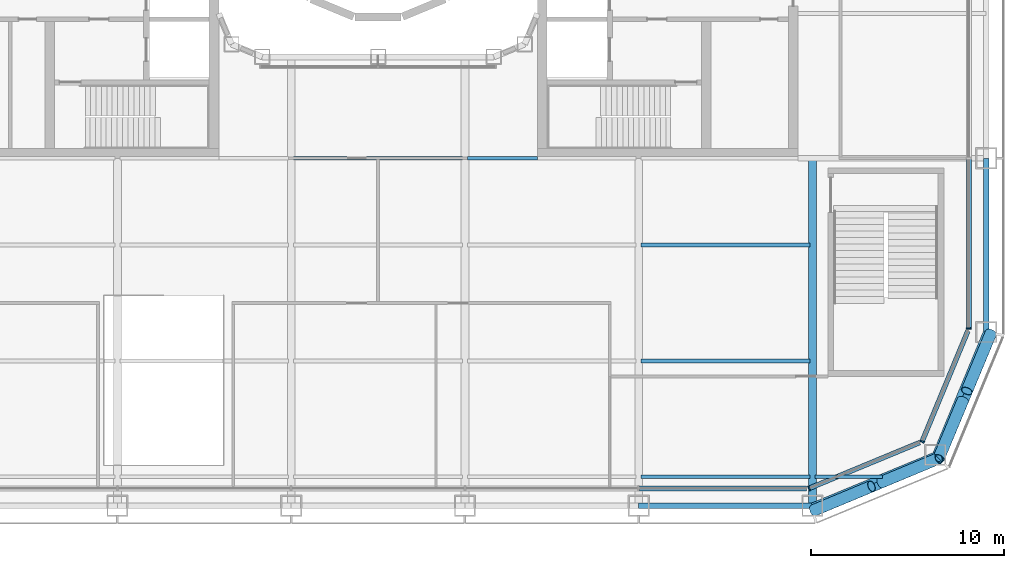
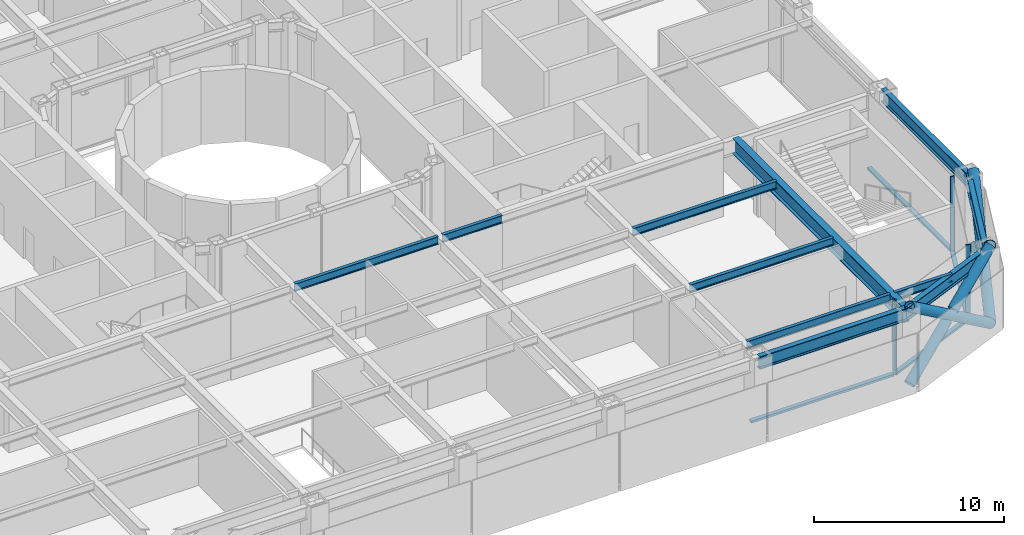
# One storey, part 4 of 24: 13 members, 11 beams, 4 elements without a shape of their own.
"""IFC4 building model written with IfcOpenShell, lengths in metres."""

from ifc_helpers import new_model, si_unit, direction, frame, origin, origin_2d, place, context, subcontext, project, spatial, rectangle, hollow_circle, i_section, extrude, material, layer, layer_set, material_profile, profile_set, type_object, element, aggregate, save


model = new_model("IFC4")

# Units and contexts
model_context = context("Model", 3, precision=1e-05, world=origin(), true_north=direction((0.0, 1.0)))
body_context = subcontext(model_context, "Body", "Model", "MODEL_VIEW")
ifc_project = project(units=[si_unit("LENGTHUNIT", "METRE"), si_unit("AREAUNIT", "SQUARE_METRE"), si_unit("VOLUMEUNIT", "CUBIC_METRE"), si_unit("PLANEANGLEUNIT", "RADIAN"), si_unit("MASSUNIT", "GRAM", prefix="KILO")], contexts=[model_context])

# Site, building, storey
site_placement = place(None, origin())
site = spatial("IfcSite", under=ifc_project, at=site_placement, CompositionType="ELEMENT")
building_placement = place(site_placement, origin())
building = spatial("IfcBuilding", under=site, at=building_placement, Name="Siwar Civic Tower", CompositionType="ELEMENT")
storey_placement = place(building_placement, frame((0.0, 0.0, 12.199951171875)))
storey = spatial("IfcBuildingStorey", under=building, at=storey_placement, Name="L02", CompositionType="ELEMENT", Elevation=12.199951171875)

# Curtain wall, member
ifc_material_1 = material(Name="Aluminium clad insulated panel", Category="aluminium")
ifc_layer_1 = layer(ifc_material_1, 0.25)
ifc_layer_set_1 = layer_set([ifc_layer_1], Name="Aluminium clad insulated panel")
curtain_wall_type_1 = type_object("IfcCurtainWallType", Name="ENV-CW-HX", PredefinedType="NOTDEFINED", material=ifc_layer_set_1)
curtain_wall_1_placement = place(storey_placement, origin())
curtain_wall_1 = element("IfcCurtainWall", 1, at=curtain_wall_1_placement, inside=storey, type_object=curtain_wall_type_1, Name="Curtain wall H SE1", PredefinedType="NOTDEFINED")
ifc_material_2 = material(Name="Aluminium 6063-T6", Category="aluminium")
ifc_material_profile_1 = material_profile(ifc_material_2, rectangle(XDim=0.25, YDim=0.080078125, at=origin_2d()), Name="AL 250x80")
ifc_profile_set_1 = profile_set([ifc_material_profile_1], Name="Aluminium 6063-T6")
member_type_1 = type_object("IfcMemberType", Name="ENV-MULLION-H", PredefinedType="MULLION", material=ifc_profile_set_1)
member_1_placement = place(storey_placement, frame((22.321044921875, -30.60009765625, 0.0), z_axis=(0.0, 0.0, 1.0), x_axis=(-0.382683432365, 0.923879532511, 0.0)))
member_1 = element("IfcMember", 2, at=member_1_placement, type_object=member_type_1, Name="Mullion H SE1 1", PredefinedType="MULLION", context=body_context, shape_type="SweptSolid", body=[
    extrude(rectangle(XDim=0.25, YDim=0.080078125, at=origin_2d()), origin(), (0.0, 0.0, 1.0), 4.85009765625),
])

curtain_wall_2_placement = place(storey_placement, origin())
curtain_wall_2 = element("IfcCurtainWall", 3, at=curtain_wall_2_placement, inside=storey, type_object=curtain_wall_type_1, Name="Curtain wall H SE2", PredefinedType="NOTDEFINED")
member_2_placement = place(storey_placement, frame((28.175048828125, -28.175048828125, 0.0), z_axis=(0.0, 0.0, 1.0), x_axis=(-0.923879532511, 0.382683432365, 0.0)))
member_2 = element("IfcMember", 4, at=member_2_placement, type_object=member_type_1, Name="Mullion H SE2 1", PredefinedType="MULLION", context=body_context, shape_type="SweptSolid", body=[
    extrude(rectangle(XDim=0.25, YDim=0.080078125, at=origin_2d()), origin(), (0.0, 0.0, 1.0), 4.85009765625),
])

ifc_material_3 = material(Name="Aluminium and glass", Category="aluminium")
ifc_layer_2 = layer(ifc_material_3, 0.25)
ifc_layer_set_2 = layer_set([ifc_layer_2], Name="Aluminium and glass")
curtain_wall_type_2 = type_object("IfcCurtainWallType", Name="ENV-CW-H", PredefinedType="NOTDEFINED", material=ifc_layer_set_2)
curtain_wall_3_placement = place(storey_placement, origin())
curtain_wall_3 = element("IfcCurtainWall", 5, at=curtain_wall_3_placement, inside=storey, type_object=curtain_wall_type_2, Name="Curtain wall H E", PredefinedType="NOTDEFINED")
member_3_placement = place(storey_placement, frame((30.60009765625, -22.321044921875, 0.0), z_axis=(0.0, 0.0, 1.0), x_axis=(-1.0, 0.0, 0.0)))
member_3 = element("IfcMember", 6, at=member_3_placement, type_object=member_type_1, Name="Mullion H E 1", PredefinedType="MULLION", context=body_context, shape_type="SweptSolid", body=[
    extrude(rectangle(XDim=0.25, YDim=0.080078125, at=origin_2d()), origin(), (0.0, 0.0, 1.0), 4.85009765625),
])

curtain_wall_4_placement = place(storey_placement, origin())
curtain_wall_4 = element("IfcCurtainWall", 7, at=curtain_wall_4_placement, inside=storey, type_object=curtain_wall_type_2, Name="Curtain wall H S", PredefinedType="NOTDEFINED")
ifc_material_4 = material(Name="Aluminium 6063-T6", Category="aluminium")
ifc_material_profile_2 = material_profile(ifc_material_4, rectangle(XDim=0.25, YDim=0.139892578125, at=origin_2d()), Name="AL 250x140")
ifc_profile_set_2 = profile_set([ifc_material_profile_2], Name="Aluminium 6063-T6")
member_type_2 = type_object("IfcMemberType", Name="ENV-TRANSOM-H", PredefinedType="USERDEFINED", material=ifc_profile_set_2)
member_4_placement = place(storey_placement, frame((13.5400390625, -30.60009765625, 0.070068359375), z_axis=(1.0, 0.0, 0.0), x_axis=(0.0, 1.0, 0.0)))
member_4 = element("IfcMember", 8, at=member_4_placement, type_object=member_type_2, Name="Transom H S 5", ObjectType="TRANSOM", PredefinedType="USERDEFINED", context=body_context, shape_type="SweptSolid", body=[
    extrude(rectangle(XDim=0.25, YDim=0.139892578125, at=origin_2d()), origin(), (0.0, 0.0, 1.0), 8.644287109375),
])
aggregate(curtain_wall_4, [member_4])

# Member
member_5_placement = place(storey_placement, frame((22.35791015625, -30.584716796875, 0.070068359375), z_axis=(0.92388399052, 0.382672669604, 0.0), x_axis=(-0.382672669604, 0.92388399052, 0.0)))
member_5 = element("IfcMember", 9, at=member_5_placement, type_object=member_type_2, Name="Transom H SE1 1", ObjectType="TRANSOM", PredefinedType="USERDEFINED", context=body_context, shape_type="SweptSolid", body=[
    extrude(rectangle(XDim=0.25, YDim=0.139892578125, at=origin_2d()), origin(), (0.0, 0.0, 1.0), 6.15966796875),
])

aggregate(curtain_wall_1, [member_1, member_5])

member_6_placement = place(storey_placement, frame((28.1904296875, -28.13818359375, 0.070068359375), z_axis=(0.382672669604, 0.92388399052, 0.0), x_axis=(-0.92388399052, 0.382672669604, 0.0)))
member_6 = element("IfcMember", 10, at=member_6_placement, type_object=member_type_2, Name="Transom H SE2 1", ObjectType="TRANSOM", PredefinedType="USERDEFINED", context=body_context, shape_type="SweptSolid", body=[
    extrude(rectangle(XDim=0.25, YDim=0.139892578125, at=origin_2d()), origin(), (0.0, 0.0, 1.0), 6.15966796875),
])

aggregate(curtain_wall_2, [member_2, member_6])

member_7_placement = place(storey_placement, frame((30.60009765625, -22.281005859375, 0.070068359375), z_axis=(0.0, 1.0, 0.0), x_axis=(-1.0, 0.0, 0.0)))
member_7 = element("IfcMember", 11, at=member_7_placement, type_object=member_type_2, Name="Transom H E 1", ObjectType="TRANSOM", PredefinedType="USERDEFINED", context=body_context, shape_type="SweptSolid", body=[
    extrude(rectangle(XDim=0.25, YDim=0.139892578125, at=origin_2d()), origin(), (0.0, 0.0, 1.0), 8.740966796875),
])

aggregate(curtain_wall_3, [member_3, member_7])

# Members
ifc_material_5 = material(Name="Steel S355", Category="steel")
ifc_material_profile_3 = material_profile(ifc_material_5, hollow_circle(Radius=0.304931640625, WallThickness=0.030029296875, at=origin_2d()), Name="CHS610x30")
ifc_profile_set_3 = profile_set([ifc_material_profile_3], Name="Steel S355")
member_type_3 = type_object("IfcMemberType", Name="STR-BR-CHS610x30", PredefinedType="BRACE", material=ifc_profile_set_3)
member_8_placement = place(storey_placement, frame((29.040771484375, -29.040771484375, 0.0), z_axis=(0.313403721941, 0.752344350468, 0.579444635312), x_axis=(-0.923108759191, 0.384538969033, 0.0)))
element("IfcMember", 12, at=member_8_placement, inside=storey, type_object=member_type_3, Name="L02/brc/ASE1-1-0-1", PredefinedType="BRACE", context=body_context, shape_type="SweptSolid", body=[
    extrude(hollow_circle(Radius=0.304931640625, WallThickness=0.030029296875, at=origin_2d()), origin(), (0.0, 0.0, 1.0), 8.62890625),
])
for number, where, z_axis, x_axis, name in (
    (13, (31.7451171875, -22.548828125, 0.0), (-0.313373422739, -0.752340560323, 0.5794659431), (0.923121267833, -0.384508939914, 0.0), "L02/brc/ASE1-1-0-2"),
    (14, (30.293212890625, -26.033935546875, 2.684326171875), (-0.313384515382, -0.752367191316, 0.57942536616), (0.923121267833, -0.384508939914, 0.0), "L02/brc/ASE1-1-0-3"),
):
    element("IfcMember", number, at=place(storey_placement, frame(where, z_axis=z_axis, x_axis=x_axis)), inside=storey, type_object=member_type_3, Name=name, PredefinedType="BRACE", context=body_context, shape_type="SweptSolid", body=[
        extrude(hollow_circle(Radius=0.304931640625, WallThickness=0.030029296875, at=origin_2d()), origin(), (0.0, 0.0, 1.0), 3.99658203125),
    ])
member_9_placement = place(storey_placement, frame((29.040771484375, -29.040771484375, 0.0), z_axis=(-0.752344350468, -0.313403721941, 0.579444635312), x_axis=(0.384538969033, -0.923108759191, 0.0)))
element("IfcMember", 15, at=member_9_placement, inside=storey, type_object=member_type_3, Name="L02/brc/ASE1-1-0-0", PredefinedType="BRACE", context=body_context, shape_type="SweptSolid", body=[
    extrude(hollow_circle(Radius=0.304931640625, WallThickness=0.030029296875, at=origin_2d()), origin(), (0.0, 0.0, 1.0), 8.62890625),
])
for number, where, z_axis, x_axis, name in (
    (16, (22.548828125, -31.7451171875, 0.0), (0.752340560323, 0.313373422739, 0.5794659431), (-0.384508939914, 0.923121267833, 0.0), "L02/brc/ASE1-1-0-4"),
    (17, (26.033935546875, -30.293212890625, 2.684326171875), (0.752367191316, 0.313384515382, 0.57942536616), (-0.384508939914, 0.923121267833, 0.0), "L02/brc/ASE1-1-0-5"),
):
    element("IfcMember", number, at=place(storey_placement, frame(where, z_axis=z_axis, x_axis=x_axis)), inside=storey, type_object=member_type_3, Name=name, PredefinedType="BRACE", context=body_context, shape_type="SweptSolid", body=[
        extrude(hollow_circle(Radius=0.304931640625, WallThickness=0.030029296875, at=origin_2d()), origin(), (0.0, 0.0, 1.0), 3.99658203125),
    ])

# Beams
ifc_material_6 = material(Name="Steel S355", Category="steel")
ifc_material_profile_4 = material_profile(ifc_material_6, i_section(OverallWidth=0.199951171875, OverallDepth=0.5, WebThickness=0.01025390625, FlangeThickness=0.01611328125, FilletRadius=0.02099609375, at=origin_2d()), Name="IPE500")
ifc_profile_set_4 = profile_set([ifc_material_profile_4], Name="Steel S355")
beam_type_1 = type_object("IfcBeamType", Name="STR-FB-IPE500", PredefinedType="JOIST", material=ifc_profile_set_4)
beam_1_placement = place(storey_placement, frame((13.6298828125, -30.0, 4.60009765625), z_axis=(1.0, 0.0, 0.0), x_axis=(0.0, 1.0, 0.0)))
element("IfcBeam", 18, at=beam_1_placement, inside=storey, type_object=beam_type_1, Name="L02/bm/F006", PredefinedType="JOIST", context=body_context, shape_type="SweptSolid", body=[
    extrude(i_section(OverallWidth=0.199951171875, OverallDepth=0.5, WebThickness=0.01025390625, FlangeThickness=0.01611328125, FilletRadius=0.02099609375, at=origin_2d()), origin(), (0.0, 0.0, 1.0), 8.740234375),
])
beam_2_placement = place(storey_placement, frame((22.6298828125, -30.0, 4.60009765625), z_axis=(1.0, 0.0, 0.0), x_axis=(0.0, 1.0, 0.0)))
element("IfcBeam", 19, at=beam_2_placement, inside=storey, type_object=beam_type_1, Name="L02/bm/F007", PredefinedType="JOIST", context=body_context, shape_type="SweptSolid", body=[
    extrude(i_section(OverallWidth=0.199951171875, OverallDepth=0.5, WebThickness=0.01025390625, FlangeThickness=0.01611328125, FilletRadius=0.02099609375, at=origin_2d()), origin(), (0.0, 0.0, 1.0), 3.491455078125),
])
for number, where, z_axis, x_axis, name in (
    (20, (13.6298828125, -24.0, 4.60009765625), (1.0, 0.0, 0.0), (0.0, 1.0, 0.0), "L02/bm/F013"),
    (21, (13.6298828125, -18.0, 4.60009765625), (1.0, 0.0, 0.0), (0.0, 1.0, 0.0), "L02/bm/F019"),
    (22, (-4.3701171875, -13.5, 4.60009765625), (1.0, 0.0, 0.0), (0.0, 1.0, 0.0), "L02/bm/F024"),
):
    element("IfcBeam", number, at=place(storey_placement, frame(where, z_axis=z_axis, x_axis=x_axis)), inside=storey, type_object=beam_type_1, Name=name, PredefinedType="JOIST", context=body_context, shape_type="SweptSolid", body=[
        extrude(i_section(OverallWidth=0.199951171875, OverallDepth=0.5, WebThickness=0.01025390625, FlangeThickness=0.01611328125, FilletRadius=0.02099609375, at=origin_2d()), origin(), (0.0, 0.0, 1.0), 8.740234375),
    ])
beam_3_placement = place(storey_placement, frame((4.6298828125, -13.5, 4.60009765625), z_axis=(1.0, 0.0, 0.0), x_axis=(0.0, 1.0, 0.0)))
element("IfcBeam", 23, at=beam_3_placement, inside=storey, type_object=beam_type_1, Name="L02/bm/F025", PredefinedType="JOIST", context=body_context, shape_type="SweptSolid", body=[
    extrude(i_section(OverallWidth=0.199951171875, OverallDepth=0.5, WebThickness=0.01025390625, FlangeThickness=0.01611328125, FilletRadius=0.02099609375, at=origin_2d()), origin(), (0.0, 0.0, 1.0), 3.6201171875),
])
ifc_material_7 = material(Name="Steel S355", Category="steel")
ifc_material_profile_5 = material_profile(ifc_material_7, i_section(OverallWidth=0.39990234375, OverallDepth=1.0, WebThickness=0.01611328125, FlangeThickness=0.0400390625, at=origin_2d()), Name="PG1000x400x16x40")
ifc_profile_set_5 = profile_set([ifc_material_profile_5], Name="Steel S355")
beam_type_2 = type_object("IfcBeamType", Name="STR-PG-PG1000x400x16x40", PredefinedType="BEAM", material=ifc_profile_set_5)
beam_4_placement = place(storey_placement, frame((22.5, -31.5, 4.35009765625), z_axis=(0.0, 1.0, 0.0), x_axis=(-1.0, 0.0, 0.0)))
element("IfcBeam", 24, at=beam_4_placement, inside=storey, type_object=beam_type_2, Name="L02/bm/G11", PredefinedType="BEAM", context=body_context, shape_type="SweptSolid", body=[
    extrude(i_section(OverallWidth=0.39990234375, OverallDepth=1.0, WebThickness=0.01611328125, FlangeThickness=0.0400390625, at=origin_2d()), origin(), (0.0, 0.0, 1.0), 18.0),
])
ifc_material_8 = material(Name="Steel S355", Category="steel")
ifc_material_profile_6 = material_profile(ifc_material_8, i_section(OverallWidth=0.302978515625, OverallDepth=0.81396484375, WebThickness=0.02099609375, FlangeThickness=0.0400390625, FilletRadius=0.030029296875, at=origin_2d()), Name="HEM800")
ifc_profile_set_6 = profile_set([ifc_material_profile_6], Name="Steel S355")
beam_type_3 = type_object("IfcBeamType", Name="STR-SB-HEM800", PredefinedType="BEAM", material=ifc_profile_set_6)
beam_5_placement = place(storey_placement, frame((13.5, -31.5, 4.443115234375), z_axis=(1.0, 0.0, 0.0), x_axis=(0.0, 1.0, 0.0)))
element("IfcBeam", 25, at=beam_5_placement, inside=storey, type_object=beam_type_3, Name="L02/bm/SS-4", PredefinedType="BEAM", context=body_context, shape_type="SweptSolid", body=[
    extrude(i_section(OverallWidth=0.302978515625, OverallDepth=0.81396484375, WebThickness=0.02099609375, FlangeThickness=0.0400390625, FilletRadius=0.030029296875, at=origin_2d()), origin(), (0.0, 0.0, 1.0), 9.0),
])
for number, where, z_axis, x_axis, name in (
    (26, (22.5, -31.5, 4.443115234375), (0.923883353507, 0.382674207535, 0.0), (-0.382674207535, 0.923883353507, 0.0), "L02/bm/SSE1-0"),
    (27, (28.864013671875, -28.864013671875, 4.443115234375), (0.382674207535, 0.923883353507, 0.0), (-0.923883353507, 0.382674207535, 0.0), "L02/bm/SSE2-0"),
):
    element("IfcBeam", number, at=place(storey_placement, frame(where, z_axis=z_axis, x_axis=x_axis)), inside=storey, type_object=beam_type_3, Name=name, PredefinedType="BEAM", context=body_context, shape_type="SweptSolid", body=[
        extrude(i_section(OverallWidth=0.302978515625, OverallDepth=0.81396484375, WebThickness=0.02099609375, FlangeThickness=0.0400390625, FilletRadius=0.030029296875, at=origin_2d()), origin(), (0.0, 0.0, 1.0), 6.888427734375),
    ])
beam_6_placement = place(storey_placement, frame((31.5, -22.5, 4.443115234375), z_axis=(0.0, 1.0, 0.0), x_axis=(-1.0, 0.0, 0.0)))
element("IfcBeam", 28, at=beam_6_placement, inside=storey, type_object=beam_type_3, Name="L02/bm/SE-0", PredefinedType="BEAM", context=body_context, shape_type="SweptSolid", body=[
    extrude(i_section(OverallWidth=0.302978515625, OverallDepth=0.81396484375, WebThickness=0.02099609375, FlangeThickness=0.0400390625, FilletRadius=0.030029296875, at=origin_2d()), origin(), (0.0, 0.0, 1.0), 9.0),
])

save(model, "model.ifc")
